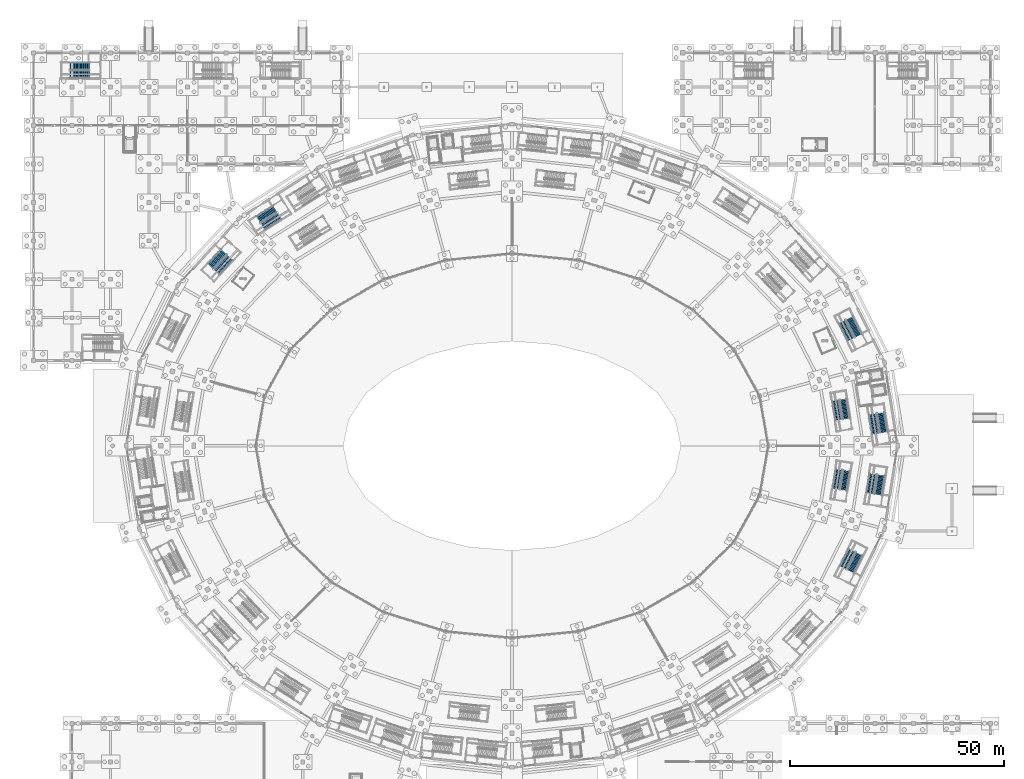
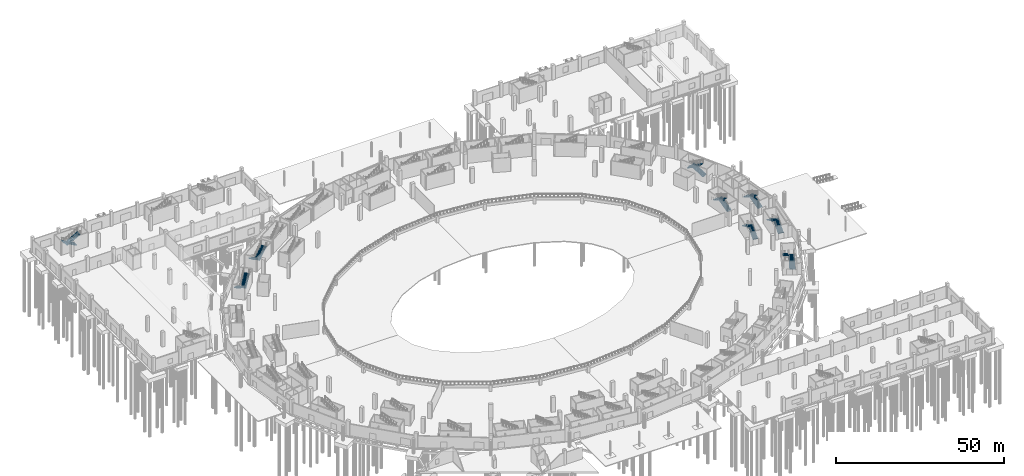
# One storey, part 53 of 103: 18 stair flights, 9 elements without a shape of their own.
"""IFC4 building model written with IfcOpenShell, lengths in metres."""

from ifc_helpers import new_model, si_unit, direction, frame, origin, place, context, subcontext, project, spatial, polyline, outline, extrude, material, type_object, element, aggregate, save


model = new_model("IFC4")

# Units and contexts
model_context = context("Model", 3, precision=1e-05, world=origin(), true_north=direction((0.0, 1.0)))
body_context = subcontext(model_context, "Body", "Model", "MODEL_VIEW")
ifc_project = project(units=[si_unit("LENGTHUNIT", "METRE"), si_unit("AREAUNIT", "SQUARE_METRE"), si_unit("VOLUMEUNIT", "CUBIC_METRE"), si_unit("PLANEANGLEUNIT", "RADIAN"), si_unit("MASSUNIT", "GRAM", prefix="KILO")], contexts=[model_context])

# Site, building, storey
site_placement = place(None, origin())
site = spatial("IfcSite", under=ifc_project, at=site_placement, CompositionType="ELEMENT")
building_placement = place(site_placement, origin())
building = spatial("IfcBuilding", under=site, at=building_placement, Name="Zevraka Park Crest Stadium", CompositionType="ELEMENT")
storey_placement = place(building_placement, origin())
storey = spatial("IfcBuildingStorey", under=building, at=storey_placement, Name="L00", CompositionType="ELEMENT", Elevation=0.0)

# Stair, stair flights
ifc_material_1 = material(Name="Concrete C35/45", Category="concrete")
stair_type_1 = type_object("IfcStairType", Name="STA1", PredefinedType="HALF_TURN_STAIR", material=ifc_material_1)
stair_1_placement = place(storey_placement, origin())
stair_1 = element("IfcStair", 1, at=stair_1_placement, inside=storey, type_object=stair_type_1, Name="L00 Protected Concourse Exit Stair ST01", PredefinedType="HALF_TURN_STAIR")
ifc_material_2 = material(Name="Concrete C35/45", Category="concrete")
stair_flight_type_1 = type_object("IfcStairFlightType", Name="FLA1", PredefinedType="STRAIGHT", material=ifc_material_2)
stair_flight_1_placement = place(storey_placement, frame((199.0859375, 95.17333984375, 0.0), z_axis=(0.0, 0.0, 1.0), x_axis=(-0.157261853897, 0.987556939781, 0.0)))
stair_flight_1 = element("IfcStairFlight", 2, at=stair_flight_1_placement, type_object=stair_flight_type_1, Name="ST01 flight 1", NumberOfRisers=16, NumberOfTreads=15, PredefinedType="STRAIGHT", RiserHeight=0.16875, TreadLength=0.305, context=body_context, shape_type="SweptSolid", body=[
    extrude(outline(polyline([(0.0, 0.0), (0.0, 0.168701171875), (0.304931640625, 0.168701171875), (0.304931640625, 0.33740234375), (0.610107421875, 0.33740234375), (0.610107421875, 0.50634765625), (0.9150390625, 0.50634765625), (0.9150390625, 0.675048828125), (1.219970703125, 0.675048828125), (1.219970703125, 0.84375), (1.52490234375, 0.84375), (1.52490234375, 1.012451171875), (1.830078125, 1.012451171875), (1.830078125, 1.18115234375), (2.135009765625, 1.18115234375), (2.135009765625, 1.35009765625), (2.43994140625, 1.35009765625), (2.43994140625, 1.518798828125), (2.7451171875, 1.518798828125), (2.7451171875, 1.6875), (3.050048828125, 1.6875), (3.050048828125, 1.856201171875), (3.35498046875, 1.856201171875), (3.35498046875, 2.02490234375), (3.659912109375, 2.02490234375), (3.659912109375, 2.19384765625), (3.965087890625, 2.19384765625), (3.965087890625, 2.362548828125), (4.27001953125, 2.362548828125), (4.27001953125, 2.53125), (4.574951171875, 2.53125), (4.574951171875, 2.699951171875), (4.574951171875, 2.348388671875), (0.330322265625, 0.0), (0.0, 0.0)])), frame((0.0, 0.89990234375, 0.0), z_axis=(0.0, -1.0, 0.0), x_axis=(1.0, 0.0, 0.0)), (0.0, 0.0, 1.0), 1.800048828125),
])
stair_flight_2_placement = place(storey_placement, frame((196.430908203125, 99.38330078125, 2.699951171875), z_axis=(0.0, 0.0, 1.0), x_axis=(0.157261853897, -0.987556939781, 0.0)))
stair_flight_2 = element("IfcStairFlight", 3, at=stair_flight_2_placement, type_object=stair_flight_type_1, Name="ST01 flight 2", NumberOfRisers=16, NumberOfTreads=15, PredefinedType="STRAIGHT", RiserHeight=0.16875, TreadLength=0.305, context=body_context, shape_type="SweptSolid", body=[
    extrude(outline(polyline([(0.0, 0.0), (0.0, 0.168701171875), (0.304931640625, 0.168701171875), (0.304931640625, 0.33740234375), (0.610107421875, 0.33740234375), (0.610107421875, 0.50634765625), (0.9150390625, 0.50634765625), (0.9150390625, 0.675048828125), (1.219970703125, 0.675048828125), (1.219970703125, 0.84375), (1.52490234375, 0.84375), (1.52490234375, 1.012451171875), (1.830078125, 1.012451171875), (1.830078125, 1.18115234375), (2.135009765625, 1.18115234375), (2.135009765625, 1.35009765625), (2.43994140625, 1.35009765625), (2.43994140625, 1.518798828125), (2.7451171875, 1.518798828125), (2.7451171875, 1.6875), (3.050048828125, 1.6875), (3.050048828125, 1.856201171875), (3.35498046875, 1.856201171875), (3.35498046875, 2.02490234375), (3.659912109375, 2.02490234375), (3.659912109375, 2.19384765625), (3.965087890625, 2.19384765625), (3.965087890625, 2.362548828125), (4.27001953125, 2.362548828125), (4.27001953125, 2.53125), (4.574951171875, 2.53125), (4.574951171875, 2.699951171875), (4.574951171875, 2.348388671875), (0.330322265625, 0.0), (0.0, 0.0)])), frame((0.0, 0.89990234375, 0.0), z_axis=(0.0, -1.0, 0.0), x_axis=(1.0, 0.0, 0.0)), (0.0, 0.0, 1.0), 1.800048828125),
])
aggregate(stair_1, [stair_flight_1, stair_flight_2])

stair_2_placement = place(storey_placement, origin())
stair_2 = element("IfcStair", 4, at=stair_2_placement, inside=storey, type_object=stair_type_1, Name="L00 Protected Concourse Exit Stair ST02", PredefinedType="HALF_TURN_STAIR")
stair_flight_3_placement = place(storey_placement, frame((193.1064453125, 117.7939453125, 0.0), z_axis=(0.0, 0.0, 1.0), x_axis=(-0.447915140373, 0.894076074518, 0.0)))
stair_flight_3 = element("IfcStairFlight", 5, at=stair_flight_3_placement, type_object=stair_flight_type_1, Name="ST02 flight 1", NumberOfRisers=16, NumberOfTreads=15, PredefinedType="STRAIGHT", RiserHeight=0.16875, TreadLength=0.305, context=body_context, shape_type="SweptSolid", body=[
    extrude(outline(polyline([(0.0, 0.0), (0.0, 0.168701171875), (0.304931640625, 0.168701171875), (0.304931640625, 0.33740234375), (0.610107421875, 0.33740234375), (0.610107421875, 0.50634765625), (0.9150390625, 0.50634765625), (0.9150390625, 0.675048828125), (1.219970703125, 0.675048828125), (1.219970703125, 0.84375), (1.52490234375, 0.84375), (1.52490234375, 1.012451171875), (1.830078125, 1.012451171875), (1.830078125, 1.18115234375), (2.135009765625, 1.18115234375), (2.135009765625, 1.35009765625), (2.43994140625, 1.35009765625), (2.43994140625, 1.518798828125), (2.7451171875, 1.518798828125), (2.7451171875, 1.6875), (3.050048828125, 1.6875), (3.050048828125, 1.856201171875), (3.35498046875, 1.856201171875), (3.35498046875, 2.02490234375), (3.659912109375, 2.02490234375), (3.659912109375, 2.19384765625), (3.965087890625, 2.19384765625), (3.965087890625, 2.362548828125), (4.27001953125, 2.362548828125), (4.27001953125, 2.53125), (4.574951171875, 2.53125), (4.574951171875, 2.699951171875), (4.574951171875, 2.348388671875), (0.330322265625, 0.0), (0.0, 0.0)])), frame((0.0, 0.89990234375, 0.0), z_axis=(0.0, -1.0, 0.0), x_axis=(1.0, 0.0, 0.0)), (0.0, 0.0, 1.0), 1.800048828125),
])
stair_flight_4_placement = place(storey_placement, frame((189.304931640625, 121.006591796875, 2.699951171875), z_axis=(0.0, 0.0, 1.0), x_axis=(0.447915140373, -0.894076074518, 0.0)))
stair_flight_4 = element("IfcStairFlight", 6, at=stair_flight_4_placement, type_object=stair_flight_type_1, Name="ST02 flight 2", NumberOfRisers=16, NumberOfTreads=15, PredefinedType="STRAIGHT", RiserHeight=0.16875, TreadLength=0.305, context=body_context, shape_type="SweptSolid", body=[
    extrude(outline(polyline([(0.0, 0.0), (0.0, 0.168701171875), (0.304931640625, 0.168701171875), (0.304931640625, 0.33740234375), (0.610107421875, 0.33740234375), (0.610107421875, 0.50634765625), (0.9150390625, 0.50634765625), (0.9150390625, 0.675048828125), (1.219970703125, 0.675048828125), (1.219970703125, 0.84375), (1.52490234375, 0.84375), (1.52490234375, 1.012451171875), (1.830078125, 1.012451171875), (1.830078125, 1.18115234375), (2.135009765625, 1.18115234375), (2.135009765625, 1.35009765625), (2.43994140625, 1.35009765625), (2.43994140625, 1.518798828125), (2.7451171875, 1.518798828125), (2.7451171875, 1.6875), (3.050048828125, 1.6875), (3.050048828125, 1.856201171875), (3.35498046875, 1.856201171875), (3.35498046875, 2.02490234375), (3.659912109375, 2.02490234375), (3.659912109375, 2.19384765625), (3.965087890625, 2.19384765625), (3.965087890625, 2.362548828125), (4.27001953125, 2.362548828125), (4.27001953125, 2.53125), (4.574951171875, 2.53125), (4.574951171875, 2.699951171875), (4.574951171875, 2.348388671875), (0.330322265625, 0.0), (0.0, 0.0)])), frame((0.0, 0.89990234375, 0.0), z_axis=(0.0, -1.0, 0.0), x_axis=(1.0, 0.0, 0.0)), (0.0, 0.0, 1.0), 1.800048828125),
])
aggregate(stair_2, [stair_flight_3, stair_flight_4])

stair_3_placement = place(storey_placement, origin())
stair_3 = element("IfcStair", 7, at=stair_3_placement, inside=storey, type_object=stair_type_1, Name="L00 Protected Concourse Exit Stair ST10", PredefinedType="HALF_TURN_STAIR")
stair_flight_5_placement = place(storey_placement, frame((44.5419921875, 137.365234375, 0.0), z_axis=(0.0, 0.0, 1.0), x_axis=(-0.680255347227, -0.732975212793, 0.0)))
stair_flight_5 = element("IfcStairFlight", 8, at=stair_flight_5_placement, type_object=stair_flight_type_1, Name="ST10 flight 1", NumberOfRisers=16, NumberOfTreads=15, PredefinedType="STRAIGHT", RiserHeight=0.16875, TreadLength=0.305, context=body_context, shape_type="SweptSolid", body=[
    extrude(outline(polyline([(0.0, 0.0), (0.0, 0.168701171875), (0.304931640625, 0.168701171875), (0.304931640625, 0.33740234375), (0.610107421875, 0.33740234375), (0.610107421875, 0.50634765625), (0.9150390625, 0.50634765625), (0.9150390625, 0.675048828125), (1.219970703125, 0.675048828125), (1.219970703125, 0.84375), (1.52490234375, 0.84375), (1.52490234375, 1.012451171875), (1.830078125, 1.012451171875), (1.830078125, 1.18115234375), (2.135009765625, 1.18115234375), (2.135009765625, 1.35009765625), (2.43994140625, 1.35009765625), (2.43994140625, 1.518798828125), (2.7451171875, 1.518798828125), (2.7451171875, 1.6875), (3.050048828125, 1.6875), (3.050048828125, 1.856201171875), (3.35498046875, 1.856201171875), (3.35498046875, 2.02490234375), (3.659912109375, 2.02490234375), (3.659912109375, 2.19384765625), (3.965087890625, 2.19384765625), (3.965087890625, 2.362548828125), (4.27001953125, 2.362548828125), (4.27001953125, 2.53125), (4.574951171875, 2.53125), (4.574951171875, 2.699951171875), (4.574951171875, 2.348388671875), (0.330322265625, 0.0), (0.0, 0.0)])), frame((0.0, 0.89990234375, 0.0), z_axis=(0.0, -1.0, 0.0), x_axis=(1.0, 0.0, 0.0)), (0.0, 0.0, 1.0), 1.800048828125),
])
stair_flight_6_placement = place(storey_placement, frame((42.866455078125, 132.6787109375, 2.699951171875), z_axis=(0.0, 0.0, 1.0), x_axis=(0.680255347227, 0.732975212793, 0.0)))
stair_flight_6 = element("IfcStairFlight", 9, at=stair_flight_6_placement, type_object=stair_flight_type_1, Name="ST10 flight 2", NumberOfRisers=16, NumberOfTreads=15, PredefinedType="STRAIGHT", RiserHeight=0.16875, TreadLength=0.305, context=body_context, shape_type="SweptSolid", body=[
    extrude(outline(polyline([(0.0, 0.0), (0.0, 0.168701171875), (0.304931640625, 0.168701171875), (0.304931640625, 0.33740234375), (0.610107421875, 0.33740234375), (0.610107421875, 0.50634765625), (0.9150390625, 0.50634765625), (0.9150390625, 0.675048828125), (1.219970703125, 0.675048828125), (1.219970703125, 0.84375), (1.52490234375, 0.84375), (1.52490234375, 1.012451171875), (1.830078125, 1.012451171875), (1.830078125, 1.18115234375), (2.135009765625, 1.18115234375), (2.135009765625, 1.35009765625), (2.43994140625, 1.35009765625), (2.43994140625, 1.518798828125), (2.7451171875, 1.518798828125), (2.7451171875, 1.6875), (3.050048828125, 1.6875), (3.050048828125, 1.856201171875), (3.35498046875, 1.856201171875), (3.35498046875, 2.02490234375), (3.659912109375, 2.02490234375), (3.659912109375, 2.19384765625), (3.965087890625, 2.19384765625), (3.965087890625, 2.362548828125), (4.27001953125, 2.362548828125), (4.27001953125, 2.53125), (4.574951171875, 2.53125), (4.574951171875, 2.699951171875), (4.574951171875, 2.348388671875), (0.330322265625, 0.0), (0.0, 0.0)])), frame((0.0, 0.89990234375, 0.0), z_axis=(0.0, -1.0, 0.0), x_axis=(1.0, 0.0, 0.0)), (0.0, 0.0, 1.0), 1.800048828125),
])
aggregate(stair_3, [stair_flight_5, stair_flight_6])

stair_4_placement = place(storey_placement, origin())
stair_4 = element("IfcStair", 10, at=stair_4_placement, inside=storey, type_object=stair_type_1, Name="L00 Protected Concourse Exit Stair ST23", PredefinedType="HALF_TURN_STAIR")
stair_flight_7_placement = place(storey_placement, frame((191.292236328125, 62.584228515625, 0.0), z_axis=(0.0, 0.0, 1.0), x_axis=(0.447915140373, 0.894076074518, 0.0)))
stair_flight_7 = element("IfcStairFlight", 11, at=stair_flight_7_placement, type_object=stair_flight_type_1, Name="ST23 flight 1", NumberOfRisers=16, NumberOfTreads=15, PredefinedType="STRAIGHT", RiserHeight=0.16875, TreadLength=0.305, context=body_context, shape_type="SweptSolid", body=[
    extrude(outline(polyline([(0.0, 0.0), (0.0, 0.168701171875), (0.304931640625, 0.168701171875), (0.304931640625, 0.33740234375), (0.610107421875, 0.33740234375), (0.610107421875, 0.50634765625), (0.9150390625, 0.50634765625), (0.9150390625, 0.675048828125), (1.219970703125, 0.675048828125), (1.219970703125, 0.84375), (1.52490234375, 0.84375), (1.52490234375, 1.012451171875), (1.830078125, 1.012451171875), (1.830078125, 1.18115234375), (2.135009765625, 1.18115234375), (2.135009765625, 1.35009765625), (2.43994140625, 1.35009765625), (2.43994140625, 1.518798828125), (2.7451171875, 1.518798828125), (2.7451171875, 1.6875), (3.050048828125, 1.6875), (3.050048828125, 1.856201171875), (3.35498046875, 1.856201171875), (3.35498046875, 2.02490234375), (3.659912109375, 2.02490234375), (3.659912109375, 2.19384765625), (3.965087890625, 2.19384765625), (3.965087890625, 2.362548828125), (4.27001953125, 2.362548828125), (4.27001953125, 2.53125), (4.574951171875, 2.53125), (4.574951171875, 2.699951171875), (4.574951171875, 2.348388671875), (0.330322265625, 0.0), (0.0, 0.0)])), frame((0.0, 0.89990234375, 0.0), z_axis=(0.0, -1.0, 0.0), x_axis=(1.0, 0.0, 0.0)), (0.0, 0.0, 1.0), 1.800048828125),
])
stair_flight_8_placement = place(storey_placement, frame((191.5888671875, 67.552734375, 2.699951171875), z_axis=(0.0, 0.0, 1.0), x_axis=(-0.447915140373, -0.894076074518, 0.0)))
stair_flight_8 = element("IfcStairFlight", 12, at=stair_flight_8_placement, type_object=stair_flight_type_1, Name="ST23 flight 2", NumberOfRisers=16, NumberOfTreads=15, PredefinedType="STRAIGHT", RiserHeight=0.16875, TreadLength=0.305, context=body_context, shape_type="SweptSolid", body=[
    extrude(outline(polyline([(0.0, 0.0), (0.0, 0.168701171875), (0.304931640625, 0.168701171875), (0.304931640625, 0.33740234375), (0.610107421875, 0.33740234375), (0.610107421875, 0.50634765625), (0.9150390625, 0.50634765625), (0.9150390625, 0.675048828125), (1.219970703125, 0.675048828125), (1.219970703125, 0.84375), (1.52490234375, 0.84375), (1.52490234375, 1.012451171875), (1.830078125, 1.012451171875), (1.830078125, 1.18115234375), (2.135009765625, 1.18115234375), (2.135009765625, 1.35009765625), (2.43994140625, 1.35009765625), (2.43994140625, 1.518798828125), (2.7451171875, 1.518798828125), (2.7451171875, 1.6875), (3.050048828125, 1.6875), (3.050048828125, 1.856201171875), (3.35498046875, 1.856201171875), (3.35498046875, 2.02490234375), (3.659912109375, 2.02490234375), (3.659912109375, 2.19384765625), (3.965087890625, 2.19384765625), (3.965087890625, 2.362548828125), (4.27001953125, 2.362548828125), (4.27001953125, 2.53125), (4.574951171875, 2.53125), (4.574951171875, 2.699951171875), (4.574951171875, 2.348388671875), (0.330322265625, 0.0), (0.0, 0.0)])), frame((0.0, 0.89990234375, 0.0), z_axis=(0.0, -1.0, 0.0), x_axis=(1.0, 0.0, 0.0)), (0.0, 0.0, 1.0), 1.800048828125),
])
aggregate(stair_4, [stair_flight_7, stair_flight_8])

stair_5_placement = place(storey_placement, origin())
stair_5 = element("IfcStair", 13, at=stair_5_placement, inside=storey, type_object=stair_type_1, Name="L00 Protected Concourse Exit Stair ST24", PredefinedType="HALF_TURN_STAIR")
stair_flight_9_placement = place(storey_placement, frame((197.7734375, 80.580322265625, 0.0), z_axis=(0.0, 0.0, 1.0), x_axis=(0.157261853897, 0.987556939781, 0.0)))
stair_flight_9 = element("IfcStairFlight", 14, at=stair_flight_9_placement, type_object=stair_flight_type_1, Name="ST24 flight 1", NumberOfRisers=16, NumberOfTreads=15, PredefinedType="STRAIGHT", RiserHeight=0.16875, TreadLength=0.305, context=body_context, shape_type="SweptSolid", body=[
    extrude(outline(polyline([(0.0, 0.0), (0.0, 0.168701171875), (0.304931640625, 0.168701171875), (0.304931640625, 0.33740234375), (0.610107421875, 0.33740234375), (0.610107421875, 0.50634765625), (0.9150390625, 0.50634765625), (0.9150390625, 0.675048828125), (1.219970703125, 0.675048828125), (1.219970703125, 0.84375), (1.52490234375, 0.84375), (1.52490234375, 1.012451171875), (1.830078125, 1.012451171875), (1.830078125, 1.18115234375), (2.135009765625, 1.18115234375), (2.135009765625, 1.35009765625), (2.43994140625, 1.35009765625), (2.43994140625, 1.518798828125), (2.7451171875, 1.518798828125), (2.7451171875, 1.6875), (3.050048828125, 1.6875), (3.050048828125, 1.856201171875), (3.35498046875, 1.856201171875), (3.35498046875, 2.02490234375), (3.659912109375, 2.02490234375), (3.659912109375, 2.19384765625), (3.965087890625, 2.19384765625), (3.965087890625, 2.362548828125), (4.27001953125, 2.362548828125), (4.27001953125, 2.53125), (4.574951171875, 2.53125), (4.574951171875, 2.699951171875), (4.574951171875, 2.348388671875), (0.330322265625, 0.0), (0.0, 0.0)])), frame((0.0, 0.89990234375, 0.0), z_axis=(0.0, -1.0, 0.0), x_axis=(1.0, 0.0, 0.0)), (0.0, 0.0, 1.0), 1.800048828125),
])
stair_flight_10_placement = place(storey_placement, frame((196.55712890625, 85.40673828125, 2.699951171875), z_axis=(0.0, 0.0, 1.0), x_axis=(-0.157261853897, -0.987556939781, 0.0)))
stair_flight_10 = element("IfcStairFlight", 15, at=stair_flight_10_placement, type_object=stair_flight_type_1, Name="ST24 flight 2", NumberOfRisers=16, NumberOfTreads=15, PredefinedType="STRAIGHT", RiserHeight=0.16875, TreadLength=0.305, context=body_context, shape_type="SweptSolid", body=[
    extrude(outline(polyline([(0.0, 0.0), (0.0, 0.168701171875), (0.304931640625, 0.168701171875), (0.304931640625, 0.33740234375), (0.610107421875, 0.33740234375), (0.610107421875, 0.50634765625), (0.9150390625, 0.50634765625), (0.9150390625, 0.675048828125), (1.219970703125, 0.675048828125), (1.219970703125, 0.84375), (1.52490234375, 0.84375), (1.52490234375, 1.012451171875), (1.830078125, 1.012451171875), (1.830078125, 1.18115234375), (2.135009765625, 1.18115234375), (2.135009765625, 1.35009765625), (2.43994140625, 1.35009765625), (2.43994140625, 1.518798828125), (2.7451171875, 1.518798828125), (2.7451171875, 1.6875), (3.050048828125, 1.6875), (3.050048828125, 1.856201171875), (3.35498046875, 1.856201171875), (3.35498046875, 2.02490234375), (3.659912109375, 2.02490234375), (3.659912109375, 2.19384765625), (3.965087890625, 2.19384765625), (3.965087890625, 2.362548828125), (4.27001953125, 2.362548828125), (4.27001953125, 2.53125), (4.574951171875, 2.53125), (4.574951171875, 2.699951171875), (4.574951171875, 2.348388671875), (0.330322265625, 0.0), (0.0, 0.0)])), frame((0.0, 0.89990234375, 0.0), z_axis=(0.0, -1.0, 0.0), x_axis=(1.0, 0.0, 0.0)), (0.0, 0.0, 1.0), 1.800048828125),
])
aggregate(stair_5, [stair_flight_9, stair_flight_10])

stair_6_placement = place(storey_placement, origin())
stair_6 = element("IfcStair", 16, at=stair_6_placement, inside=storey, type_object=stair_type_1, Name="L00 Protected Paired Concourse Exit Stair ST28", PredefinedType="HALF_TURN_STAIR")
stair_flight_11_placement = place(storey_placement, frame((56.484130859375, 147.417724609375, 0.0), z_axis=(0.0, 0.0, 1.0), x_axis=(-0.844397122829, -0.535717741874, 0.0)))
stair_flight_11 = element("IfcStairFlight", 17, at=stair_flight_11_placement, type_object=stair_flight_type_1, Name="ST28 flight 1", NumberOfRisers=16, NumberOfTreads=15, PredefinedType="STRAIGHT", RiserHeight=0.16875, TreadLength=0.305, context=body_context, shape_type="SweptSolid", body=[
    extrude(outline(polyline([(0.0, 0.0), (0.0, 0.168701171875), (0.304931640625, 0.168701171875), (0.304931640625, 0.33740234375), (0.610107421875, 0.33740234375), (0.610107421875, 0.50634765625), (0.9150390625, 0.50634765625), (0.9150390625, 0.675048828125), (1.219970703125, 0.675048828125), (1.219970703125, 0.84375), (1.52490234375, 0.84375), (1.52490234375, 1.012451171875), (1.830078125, 1.012451171875), (1.830078125, 1.18115234375), (2.135009765625, 1.18115234375), (2.135009765625, 1.35009765625), (2.43994140625, 1.35009765625), (2.43994140625, 1.518798828125), (2.7451171875, 1.518798828125), (2.7451171875, 1.6875), (3.050048828125, 1.6875), (3.050048828125, 1.856201171875), (3.35498046875, 1.856201171875), (3.35498046875, 2.02490234375), (3.659912109375, 2.02490234375), (3.659912109375, 2.19384765625), (3.965087890625, 2.19384765625), (3.965087890625, 2.362548828125), (4.27001953125, 2.362548828125), (4.27001953125, 2.53125), (4.574951171875, 2.53125), (4.574951171875, 2.699951171875), (4.574951171875, 2.348388671875), (0.330322265625, 0.0), (0.0, 0.0)])), frame((0.0, 0.89990234375, 0.0), z_axis=(0.0, -1.0, 0.0), x_axis=(1.0, 0.0, 0.0)), (0.0, 0.0, 1.0), 1.800048828125),
])
stair_flight_12_placement = place(storey_placement, frame((53.671142578125, 143.311767578125, 2.699951171875), z_axis=(0.0, 0.0, 1.0), x_axis=(0.844397122829, 0.535717741874, 0.0)))
stair_flight_12 = element("IfcStairFlight", 18, at=stair_flight_12_placement, type_object=stair_flight_type_1, Name="ST28 flight 2", NumberOfRisers=16, NumberOfTreads=15, PredefinedType="STRAIGHT", RiserHeight=0.16875, TreadLength=0.305, context=body_context, shape_type="SweptSolid", body=[
    extrude(outline(polyline([(0.0, 0.0), (0.0, 0.168701171875), (0.304931640625, 0.168701171875), (0.304931640625, 0.33740234375), (0.610107421875, 0.33740234375), (0.610107421875, 0.50634765625), (0.9150390625, 0.50634765625), (0.9150390625, 0.675048828125), (1.219970703125, 0.675048828125), (1.219970703125, 0.84375), (1.52490234375, 0.84375), (1.52490234375, 1.012451171875), (1.830078125, 1.012451171875), (1.830078125, 1.18115234375), (2.135009765625, 1.18115234375), (2.135009765625, 1.35009765625), (2.43994140625, 1.35009765625), (2.43994140625, 1.518798828125), (2.7451171875, 1.518798828125), (2.7451171875, 1.6875), (3.050048828125, 1.6875), (3.050048828125, 1.856201171875), (3.35498046875, 1.856201171875), (3.35498046875, 2.02490234375), (3.659912109375, 2.02490234375), (3.659912109375, 2.19384765625), (3.965087890625, 2.19384765625), (3.965087890625, 2.362548828125), (4.27001953125, 2.362548828125), (4.27001953125, 2.53125), (4.574951171875, 2.53125), (4.574951171875, 2.699951171875), (4.574951171875, 2.348388671875), (0.330322265625, 0.0), (0.0, 0.0)])), frame((0.0, 0.89990234375, 0.0), z_axis=(0.0, -1.0, 0.0), x_axis=(1.0, 0.0, 0.0)), (0.0, 0.0, 1.0), 1.800048828125),
])
aggregate(stair_6, [stair_flight_11, stair_flight_12])

ifc_material_3 = material(Name="Concrete C35/45", Category="concrete")
stair_type_2 = type_object("IfcStairType", Name="STB1", PredefinedType="HALF_TURN_STAIR", material=ifc_material_3)
stair_7_placement = place(storey_placement, origin())
stair_7 = element("IfcStair", 19, at=stair_7_placement, inside=storey, type_object=stair_type_2, Name="L00 Protected Concourse Relief Stair ST33", PredefinedType="HALF_TURN_STAIR")
ifc_material_4 = material(Name="Concrete C35/45", Category="concrete")
stair_flight_type_2 = type_object("IfcStairFlightType", Name="FLB1", PredefinedType="STRAIGHT", material=ifc_material_4)
stair_flight_13_placement = place(storey_placement, frame((190.282958984375, 98.3515625, 0.0), z_axis=(0.0, 0.0, 1.0), x_axis=(-0.16070639019, 0.98700225742, 0.0)))
stair_flight_13 = element("IfcStairFlight", 20, at=stair_flight_13_placement, type_object=stair_flight_type_2, Name="ST33 flight 1", NumberOfRisers=16, NumberOfTreads=15, PredefinedType="STRAIGHT", RiserHeight=0.16875, TreadLength=0.305, context=body_context, shape_type="SweptSolid", body=[
    extrude(outline(polyline([(0.0, 0.0), (0.0, 0.168701171875), (0.304931640625, 0.168701171875), (0.304931640625, 0.33740234375), (0.610107421875, 0.33740234375), (0.610107421875, 0.50634765625), (0.9150390625, 0.50634765625), (0.9150390625, 0.675048828125), (1.219970703125, 0.675048828125), (1.219970703125, 0.84375), (1.52490234375, 0.84375), (1.52490234375, 1.012451171875), (1.830078125, 1.012451171875), (1.830078125, 1.18115234375), (2.135009765625, 1.18115234375), (2.135009765625, 1.35009765625), (2.43994140625, 1.35009765625), (2.43994140625, 1.518798828125), (2.7451171875, 1.518798828125), (2.7451171875, 1.6875), (3.050048828125, 1.6875), (3.050048828125, 1.856201171875), (3.35498046875, 1.856201171875), (3.35498046875, 2.02490234375), (3.659912109375, 2.02490234375), (3.659912109375, 2.19384765625), (3.965087890625, 2.19384765625), (3.965087890625, 2.362548828125), (4.27001953125, 2.362548828125), (4.27001953125, 2.53125), (4.574951171875, 2.53125), (4.574951171875, 2.699951171875), (4.574951171875, 2.348388671875), (0.330322265625, 0.0), (0.0, 0.0)])), frame((0.0, 0.824951171875, 0.0), z_axis=(0.0, -1.0, 0.0), x_axis=(1.0, 0.0, 0.0)), (0.0, 0.0, 1.0), 1.64990234375),
])
stair_flight_14_placement = place(storey_placement, frame((187.76123046875, 102.576171875, 2.699951171875), z_axis=(0.0, 0.0, 1.0), x_axis=(0.16070639019, -0.98700225742, 0.0)))
stair_flight_14 = element("IfcStairFlight", 21, at=stair_flight_14_placement, type_object=stair_flight_type_2, Name="ST33 flight 2", NumberOfRisers=16, NumberOfTreads=15, PredefinedType="STRAIGHT", RiserHeight=0.16875, TreadLength=0.305, context=body_context, shape_type="SweptSolid", body=[
    extrude(outline(polyline([(0.0, 0.0), (0.0, 0.168701171875), (0.304931640625, 0.168701171875), (0.304931640625, 0.33740234375), (0.610107421875, 0.33740234375), (0.610107421875, 0.50634765625), (0.9150390625, 0.50634765625), (0.9150390625, 0.675048828125), (1.219970703125, 0.675048828125), (1.219970703125, 0.84375), (1.52490234375, 0.84375), (1.52490234375, 1.012451171875), (1.830078125, 1.012451171875), (1.830078125, 1.18115234375), (2.135009765625, 1.18115234375), (2.135009765625, 1.35009765625), (2.43994140625, 1.35009765625), (2.43994140625, 1.518798828125), (2.7451171875, 1.518798828125), (2.7451171875, 1.6875), (3.050048828125, 1.6875), (3.050048828125, 1.856201171875), (3.35498046875, 1.856201171875), (3.35498046875, 2.02490234375), (3.659912109375, 2.02490234375), (3.659912109375, 2.19384765625), (3.965087890625, 2.19384765625), (3.965087890625, 2.362548828125), (4.27001953125, 2.362548828125), (4.27001953125, 2.53125), (4.574951171875, 2.53125), (4.574951171875, 2.699951171875), (4.574951171875, 2.348388671875), (0.330322265625, 0.0), (0.0, 0.0)])), frame((0.0, 0.824951171875, 0.0), z_axis=(0.0, -1.0, 0.0), x_axis=(1.0, 0.0, 0.0)), (0.0, 0.0, 1.0), 1.64990234375),
])
aggregate(stair_7, [stair_flight_13, stair_flight_14])

stair_8_placement = place(storey_placement, origin())
stair_8 = element("IfcStair", 22, at=stair_8_placement, inside=storey, type_object=stair_type_2, Name="L00 Protected Concourse Relief Stair ST44", PredefinedType="HALF_TURN_STAIR")
stair_flight_15_placement = place(storey_placement, frame((189.63134765625, 81.650634765625, 0.0), z_axis=(0.0, 0.0, 1.0), x_axis=(0.16070639019, 0.98700225742, 0.0)))
stair_flight_15 = element("IfcStairFlight", 23, at=stair_flight_15_placement, type_object=stair_flight_type_2, Name="ST44 flight 1", NumberOfRisers=16, NumberOfTreads=15, PredefinedType="STRAIGHT", RiserHeight=0.16875, TreadLength=0.305, context=body_context, shape_type="SweptSolid", body=[
    extrude(outline(polyline([(0.0, 0.0), (0.0, 0.168701171875), (0.304931640625, 0.168701171875), (0.304931640625, 0.33740234375), (0.610107421875, 0.33740234375), (0.610107421875, 0.50634765625), (0.9150390625, 0.50634765625), (0.9150390625, 0.675048828125), (1.219970703125, 0.675048828125), (1.219970703125, 0.84375), (1.52490234375, 0.84375), (1.52490234375, 1.012451171875), (1.830078125, 1.012451171875), (1.830078125, 1.18115234375), (2.135009765625, 1.18115234375), (2.135009765625, 1.35009765625), (2.43994140625, 1.35009765625), (2.43994140625, 1.518798828125), (2.7451171875, 1.518798828125), (2.7451171875, 1.6875), (3.050048828125, 1.6875), (3.050048828125, 1.856201171875), (3.35498046875, 1.856201171875), (3.35498046875, 2.02490234375), (3.659912109375, 2.02490234375), (3.659912109375, 2.19384765625), (3.965087890625, 2.19384765625), (3.965087890625, 2.362548828125), (4.27001953125, 2.362548828125), (4.27001953125, 2.53125), (4.574951171875, 2.53125), (4.574951171875, 2.699951171875), (4.574951171875, 2.348388671875), (0.330322265625, 0.0), (0.0, 0.0)])), frame((0.0, 0.824951171875, 0.0), z_axis=(0.0, -1.0, 0.0), x_axis=(1.0, 0.0, 0.0)), (0.0, 0.0, 1.0), 1.64990234375),
])
stair_flight_16_placement = place(storey_placement, frame((188.580322265625, 86.45703125, 2.699951171875), z_axis=(0.0, 0.0, 1.0), x_axis=(-0.16070639019, -0.98700225742, 0.0)))
stair_flight_16 = element("IfcStairFlight", 24, at=stair_flight_16_placement, type_object=stair_flight_type_2, Name="ST44 flight 2", NumberOfRisers=16, NumberOfTreads=15, PredefinedType="STRAIGHT", RiserHeight=0.16875, TreadLength=0.305, context=body_context, shape_type="SweptSolid", body=[
    extrude(outline(polyline([(0.0, 0.0), (0.0, 0.168701171875), (0.304931640625, 0.168701171875), (0.304931640625, 0.33740234375), (0.610107421875, 0.33740234375), (0.610107421875, 0.50634765625), (0.9150390625, 0.50634765625), (0.9150390625, 0.675048828125), (1.219970703125, 0.675048828125), (1.219970703125, 0.84375), (1.52490234375, 0.84375), (1.52490234375, 1.012451171875), (1.830078125, 1.012451171875), (1.830078125, 1.18115234375), (2.135009765625, 1.18115234375), (2.135009765625, 1.35009765625), (2.43994140625, 1.35009765625), (2.43994140625, 1.518798828125), (2.7451171875, 1.518798828125), (2.7451171875, 1.6875), (3.050048828125, 1.6875), (3.050048828125, 1.856201171875), (3.35498046875, 1.856201171875), (3.35498046875, 2.02490234375), (3.659912109375, 2.02490234375), (3.659912109375, 2.19384765625), (3.965087890625, 2.19384765625), (3.965087890625, 2.362548828125), (4.27001953125, 2.362548828125), (4.27001953125, 2.53125), (4.574951171875, 2.53125), (4.574951171875, 2.699951171875), (4.574951171875, 2.348388671875), (0.330322265625, 0.0), (0.0, 0.0)])), frame((0.0, 0.824951171875, 0.0), z_axis=(0.0, -1.0, 0.0), x_axis=(1.0, 0.0, 0.0)), (0.0, 0.0, 1.0), 1.64990234375),
])
aggregate(stair_8, [stair_flight_15, stair_flight_16])

ifc_material_5 = material(Name="Concrete C35/45", Category="concrete")
stair_type_3 = type_object("IfcStairType", Name="STC1", PredefinedType="HALF_TURN_STAIR", material=ifc_material_5)
stair_9_placement = place(storey_placement, origin())
stair_9 = element("IfcStair", 25, at=stair_9_placement, inside=storey, type_object=stair_type_3, Name="L00 NW Veranda Wing North-West Stair ST47", PredefinedType="HALF_TURN_STAIR")
ifc_material_6 = material(Name="Concrete C35/45", Category="concrete")
stair_flight_type_3 = type_object("IfcStairFlightType", Name="FLC1", PredefinedType="STRAIGHT", material=ifc_material_6)
stair_flight_17_placement = place(storey_placement, frame((13.050048828125, 180.875, 0.0), z_axis=(0.0, 0.0, 1.0), x_axis=(-1.0, 0.0, 0.0)))
stair_flight_17 = element("IfcStairFlight", 26, at=stair_flight_17_placement, type_object=stair_flight_type_3, Name="ST47 flight 1", NumberOfRisers=16, NumberOfTreads=15, PredefinedType="STRAIGHT", RiserHeight=0.16875, TreadLength=0.305, context=body_context, shape_type="SweptSolid", body=[
    extrude(outline(polyline([(0.0, 0.0), (0.0, 0.168701171875), (0.304931640625, 0.168701171875), (0.304931640625, 0.33740234375), (0.610107421875, 0.33740234375), (0.610107421875, 0.50634765625), (0.9150390625, 0.50634765625), (0.9150390625, 0.675048828125), (1.219970703125, 0.675048828125), (1.219970703125, 0.84375), (1.52490234375, 0.84375), (1.52490234375, 1.012451171875), (1.830078125, 1.012451171875), (1.830078125, 1.18115234375), (2.135009765625, 1.18115234375), (2.135009765625, 1.35009765625), (2.43994140625, 1.35009765625), (2.43994140625, 1.518798828125), (2.7451171875, 1.518798828125), (2.7451171875, 1.6875), (3.050048828125, 1.6875), (3.050048828125, 1.856201171875), (3.35498046875, 1.856201171875), (3.35498046875, 2.02490234375), (3.659912109375, 2.02490234375), (3.659912109375, 2.19384765625), (3.965087890625, 2.19384765625), (3.965087890625, 2.362548828125), (4.27001953125, 2.362548828125), (4.27001953125, 2.53125), (4.574951171875, 2.53125), (4.574951171875, 2.699951171875), (4.574951171875, 2.348388671875), (0.330322265625, 0.0), (0.0, 0.0)])), frame((0.0, 0.875, 0.0), z_axis=(0.0, -1.0, 0.0), x_axis=(1.0, 0.0, 0.0)), (0.0, 0.0, 1.0), 1.75),
])
stair_flight_18_placement = place(storey_placement, frame((8.47509765625, 178.965087890625, 2.699951171875), z_axis=(0.0, 0.0, 1.0), x_axis=(1.0, 0.0, 0.0)))
stair_flight_18 = element("IfcStairFlight", 27, at=stair_flight_18_placement, type_object=stair_flight_type_3, Name="ST47 flight 2", NumberOfRisers=16, NumberOfTreads=15, PredefinedType="STRAIGHT", RiserHeight=0.16875, TreadLength=0.305, context=body_context, shape_type="SweptSolid", body=[
    extrude(outline(polyline([(0.0, 0.0), (0.0, 0.168701171875), (0.304931640625, 0.168701171875), (0.304931640625, 0.33740234375), (0.610107421875, 0.33740234375), (0.610107421875, 0.50634765625), (0.9150390625, 0.50634765625), (0.9150390625, 0.675048828125), (1.219970703125, 0.675048828125), (1.219970703125, 0.84375), (1.52490234375, 0.84375), (1.52490234375, 1.012451171875), (1.830078125, 1.012451171875), (1.830078125, 1.18115234375), (2.135009765625, 1.18115234375), (2.135009765625, 1.35009765625), (2.43994140625, 1.35009765625), (2.43994140625, 1.518798828125), (2.7451171875, 1.518798828125), (2.7451171875, 1.6875), (3.050048828125, 1.6875), (3.050048828125, 1.856201171875), (3.35498046875, 1.856201171875), (3.35498046875, 2.02490234375), (3.659912109375, 2.02490234375), (3.659912109375, 2.19384765625), (3.965087890625, 2.19384765625), (3.965087890625, 2.362548828125), (4.27001953125, 2.362548828125), (4.27001953125, 2.53125), (4.574951171875, 2.53125), (4.574951171875, 2.699951171875), (4.574951171875, 2.348388671875), (0.330322265625, 0.0), (0.0, 0.0)])), frame((0.0, 0.875, 0.0), z_axis=(0.0, -1.0, 0.0), x_axis=(1.0, 0.0, 0.0)), (0.0, 0.0, 1.0), 1.75),
])
aggregate(stair_9, [stair_flight_17, stair_flight_18])

save(model, "model.ifc")
